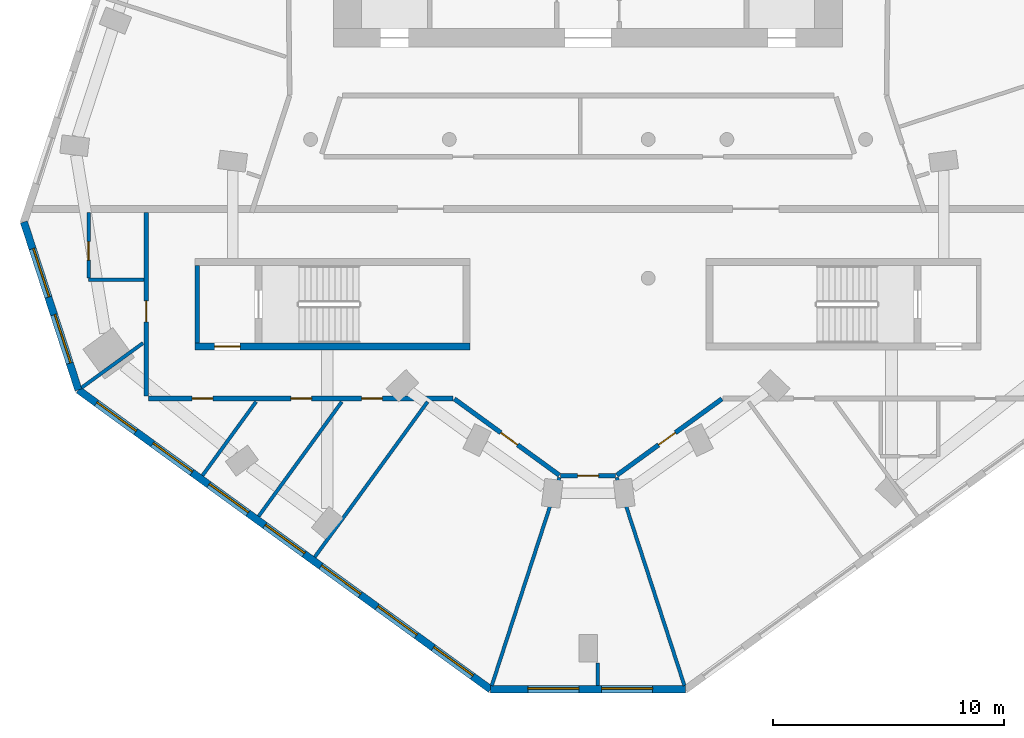
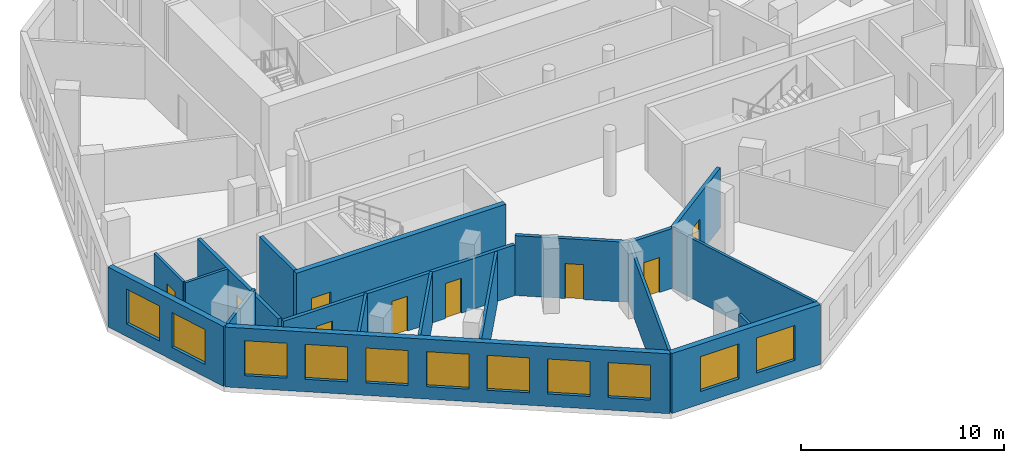
# One storey, part 2 of 9: 19 walls, 11 windows, 9 doors, 20 openings.
"""IFC4 building model written with IfcOpenShell, lengths in metres."""

from ifc_helpers import new_model, si_unit, direction, frame, frame_2d, origin, place, context, subcontext, project, spatial, rectangle, extrude, material, layer, layer_set, type_object, element, fill, save


model = new_model("IFC4")

# Units and contexts
model_context = context("Model", 3, precision=1e-05, world=origin(), true_north=direction((0.0, 1.0)))
body_context = subcontext(model_context, "Body", "Model", "MODEL_VIEW")
ifc_project = project(units=[si_unit("LENGTHUNIT", "METRE"), si_unit("AREAUNIT", "SQUARE_METRE"), si_unit("VOLUMEUNIT", "CUBIC_METRE"), si_unit("PLANEANGLEUNIT", "RADIAN"), si_unit("MASSUNIT", "GRAM", prefix="KILO")], contexts=[model_context])

# Site, building, storey
site_placement = place(None, origin())
site = spatial("IfcSite", under=ifc_project, at=site_placement, CompositionType="ELEMENT")
building_placement = place(site_placement, origin())
building = spatial("IfcBuilding", under=site, at=building_placement, Name="White Candle Pilgrim Tower", CompositionType="ELEMENT")
storey_placement = place(building_placement, frame((0.0, 0.0, 223.800048828125)))
storey = spatial("IfcBuildingStorey", under=building, at=storey_placement, Name="L52", CompositionType="ELEMENT", Elevation=223.800048828125)

# Wall
ifc_material_1 = material(Name="Concrete C50/60", Category="concrete")
ifc_layer_1 = layer(ifc_material_1, 0.199951171875)
ifc_layer_set_1 = layer_set([ifc_layer_1], Name="Core wall 200 mm Concrete C50/60")
wall_type_1 = type_object("IfcWallType", Name="Core wall 200 mm Concrete C50/60", PredefinedType="SHEAR", material=ifc_layer_set_1)
wall_1_placement = place(storey_placement, frame((53.10009765625, 58.199951171875, 0.0), z_axis=(0.0, 0.0, 1.0), x_axis=(0.0, 1.0, 0.0)))
element("IfcWall", 1, at=wall_1_placement, inside=storey, type_object=wall_type_1, Name="WL-L52-C03", PredefinedType="SHEAR", context=body_context, shape_type="SweptSolid", body=[
    extrude(rectangle(XDim=3.35009765625, YDim=0.199951171875, at=frame_2d((1.675048828125, 0.0))), origin(), (0.0, 0.0, 1.0), 3.89990234375),
])

# Wall, opening, door
ifc_material_2 = material(Name="Gypsum board on steel studs", Category="steel")
ifc_layer_2 = layer(ifc_material_2, 0.199951171875)
ifc_layer_set_2 = layer_set([ifc_layer_2], Name="Corridor wall 200 mm EI 45")
wall_type_2 = type_object("IfcWallType", Name="Corridor wall 200 mm EI 45", PredefinedType="PARTITIONING", material=ifc_layer_set_2)
wall_2_placement = place(storey_placement, frame((75.7841796875, 55.781005859375, 0.0), z_axis=(0.0, 0.0, 1.0), x_axis=(-0.809008664729, -0.587796716896, 0.0)))
wall_2 = element("IfcWall", 2, at=wall_2_placement, inside=storey, type_object=wall_type_2, Name="WL-L52-P008", PredefinedType="PARTITIONING", context=body_context, shape_type="SweptSolid", body=[
    extrude(rectangle(XDim=5.6142578125, YDim=0.199951171875, at=frame_2d((2.80712890625, 0.0))), origin(), (0.0, 0.0, 1.0), 3.599853515625),
])
opening_1_placement = place(wall_2_placement, frame((2.482177734375, 0.0, 0.0)))
opening_1 = element("IfcOpeningElement", 3, at=opening_1_placement, cuts=wall_2, Name="Opening T16-108", PredefinedType="OPENING", context=body_context, shape_type="SweptSolid", body=[
    extrude(rectangle(XDim=0.89990234375, YDim=2.10009765625, at=frame_2d((0.449951171875, 1.050048828125))), frame((0.0, 0.10986328125, 0.0), z_axis=(0.0, -1.0, 0.0), x_axis=(1.0, 0.0, 0.0)), (0.0, 0.0, 1.0), 0.219970703125),
])
ifc_material_3 = material(Name="Steel door leaf", Category="steel")
door_type_1 = type_object("IfcDoorType", Name="Fire door 900 x 2100 EI 30", OperationType="NOTDEFINED", PredefinedType="DOOR", material=ifc_material_3)
door_1_placement = place(opening_1_placement, origin())
door_1 = element("IfcDoor", 4, at=door_1_placement, inside=storey, type_object=door_type_1, Name="Door T16-108", OperationType="SINGLE_SWING_RIGHT", OverallHeight=2.10009765625, OverallWidth=0.89990234375, PredefinedType="DOOR", context=body_context, shape_type="SweptSolid", body=[
    extrude(rectangle(XDim=0.89990234375, YDim=2.10009765625, at=frame_2d((0.449951171875, 1.050048828125))), frame((0.0, 0.02490234375, 0.0), z_axis=(0.0, -1.0, 0.0), x_axis=(1.0, 0.0, 0.0)), (0.0, 0.0, 1.0), 0.050048828125),
])
fill(opening_1, door_1)

wall_3_placement = place(storey_placement, frame((71.18359375, 52.4619140625, 0.0), z_axis=(0.0, 0.0, 1.0), x_axis=(-1.0, 0.0, 0.0)))
wall_3 = element("IfcWall", 5, at=wall_3_placement, inside=storey, type_object=wall_type_2, Name="WL-L52-P009", PredefinedType="PARTITIONING", context=body_context, shape_type="SweptSolid", body=[
    extrude(rectangle(XDim=2.3671875, YDim=0.199951171875, at=frame_2d((1.18359375, 0.0))), origin(), (0.0, 0.0, 1.0), 3.599853515625),
])
opening_2_placement = place(wall_3_placement, frame((0.7333984375, 0.0, 0.0)))
opening_2 = element("IfcOpeningElement", 6, at=opening_2_placement, cuts=wall_3, Name="Opening T16-107", PredefinedType="OPENING", context=body_context, shape_type="SweptSolid", body=[
    extrude(rectangle(XDim=0.89990234375, YDim=2.10009765625, at=frame_2d((0.449951171875, 1.050048828125))), frame((0.0, 0.10986328125, 0.0), z_axis=(0.0, -1.0, 0.0), x_axis=(1.0, 0.0, 0.0)), (0.0, 0.0, 1.0), 0.219970703125),
])
door_2_placement = place(opening_2_placement, origin())
door_2 = element("IfcDoor", 7, at=door_2_placement, inside=storey, type_object=door_type_1, Name="Door T16-107", OperationType="SINGLE_SWING_LEFT", OverallHeight=2.10009765625, OverallWidth=0.89990234375, PredefinedType="DOOR", context=body_context, shape_type="SweptSolid", body=[
    extrude(rectangle(XDim=0.89990234375, YDim=2.10009765625, at=frame_2d((0.449951171875, 1.050048828125))), frame((0.0, 0.02490234375, 0.0), z_axis=(0.0, -1.0, 0.0), x_axis=(1.0, 0.0, 0.0)), (0.0, 0.0, 1.0), 0.050048828125),
])
fill(opening_2, door_2)

wall_4_placement = place(storey_placement, frame((68.7578125, 52.48095703125, 0.0), z_axis=(0.0, 0.0, 1.0), x_axis=(-0.809008664729, 0.587796716896, 0.0)))
wall_4 = element("IfcWall", 8, at=wall_4_placement, inside=storey, type_object=wall_type_2, Name="WL-L52-P010", PredefinedType="PARTITIONING", context=body_context, shape_type="SweptSolid", body=[
    extrude(rectangle(XDim=5.6142578125, YDim=0.199951171875, at=frame_2d((2.80712890625, 0.0))), origin(), (0.0, 0.0, 1.0), 3.599853515625),
])
opening_3_placement = place(wall_4_placement, frame((2.23193359375, 0.0, 0.0)))
opening_3 = element("IfcOpeningElement", 9, at=opening_3_placement, cuts=wall_4, Name="Opening T16-106", PredefinedType="OPENING", context=body_context, shape_type="SweptSolid", body=[
    extrude(rectangle(XDim=0.89990234375, YDim=2.10009765625, at=frame_2d((0.449951171875, 1.050048828125))), frame((0.0, 0.10986328125, 0.0), z_axis=(0.0, -1.0, 0.0), x_axis=(1.0, 0.0, 0.0)), (0.0, 0.0, 1.0), 0.219970703125),
])
door_3_placement = place(opening_3_placement, origin())
door_3 = element("IfcDoor", 10, at=door_3_placement, inside=storey, type_object=door_type_1, Name="Door T16-106", OperationType="SINGLE_SWING_RIGHT", OverallHeight=2.10009765625, OverallWidth=0.89990234375, PredefinedType="DOOR", context=body_context, shape_type="SweptSolid", body=[
    extrude(rectangle(XDim=0.89990234375, YDim=2.10009765625, at=frame_2d((0.449951171875, 1.050048828125))), frame((0.0, 0.02490234375, 0.0), z_axis=(0.0, -1.0, 0.0), x_axis=(1.0, 0.0, 0.0)), (0.0, 0.0, 1.0), 0.050048828125),
])
fill(opening_3, door_3)

# Wall, openings, doors
wall_5_placement = place(storey_placement, frame((64.156982421875, 55.800048828125, 0.0), z_axis=(0.0, 0.0, 1.0), x_axis=(-1.0, 0.0, 0.0)))
wall_5 = element("IfcWall", 11, at=wall_5_placement, inside=storey, type_object=wall_type_2, Name="WL-L52-P011", PredefinedType="PARTITIONING", context=body_context, shape_type="SweptSolid", body=[
    extrude(rectangle(XDim=13.156982421875, YDim=0.199951171875, at=frame_2d((6.57861328125, 0.0))), origin(), (0.0, 0.0, 1.0), 3.050048828125),
])
opening_4_placement = place(wall_5_placement, frame((10.384033203125, 0.0, 0.0)))
opening_4 = element("IfcOpeningElement", 12, at=opening_4_placement, cuts=wall_5, Name="Opening T16-103", PredefinedType="OPENING", context=body_context, shape_type="SweptSolid", body=[
    extrude(rectangle(XDim=0.89990234375, YDim=2.10009765625, at=frame_2d((0.449951171875, 1.050048828125))), frame((0.0, 0.10986328125, 0.0), z_axis=(0.0, -1.0, 0.0), x_axis=(1.0, 0.0, 0.0)), (0.0, 0.0, 1.0), 0.219970703125),
])
opening_5_placement = place(wall_5_placement, frame((6.10693359375, 0.0, 0.0)))
opening_5 = element("IfcOpeningElement", 13, at=opening_5_placement, cuts=wall_5, Name="Opening T16-104", PredefinedType="OPENING", context=body_context, shape_type="SweptSolid", body=[
    extrude(rectangle(XDim=0.89990234375, YDim=2.10009765625, at=frame_2d((0.449951171875, 1.050048828125))), frame((0.0, 0.10986328125, 0.0), z_axis=(0.0, -1.0, 0.0), x_axis=(1.0, 0.0, 0.0)), (0.0, 0.0, 1.0), 0.219970703125),
])
opening_6_placement = place(wall_5_placement, frame((3.048828125, 0.0, 0.0)))
opening_6 = element("IfcOpeningElement", 14, at=opening_6_placement, cuts=wall_5, Name="Opening T16-105", PredefinedType="OPENING", context=body_context, shape_type="SweptSolid", body=[
    extrude(rectangle(XDim=0.89990234375, YDim=2.10009765625, at=frame_2d((0.449951171875, 1.050048828125))), frame((0.0, 0.10986328125, 0.0), z_axis=(0.0, -1.0, 0.0), x_axis=(1.0, 0.0, 0.0)), (0.0, 0.0, 1.0), 0.219970703125),
])
door_4_placement = place(opening_4_placement, origin())
door_4 = element("IfcDoor", 15, at=door_4_placement, inside=storey, type_object=door_type_1, Name="Door T16-103", OperationType="SINGLE_SWING_LEFT", OverallHeight=2.10009765625, OverallWidth=0.89990234375, PredefinedType="DOOR", context=body_context, shape_type="SweptSolid", body=[
    extrude(rectangle(XDim=0.89990234375, YDim=2.10009765625, at=frame_2d((0.449951171875, 1.050048828125))), frame((0.0, 0.02490234375, 0.0), z_axis=(0.0, -1.0, 0.0), x_axis=(1.0, 0.0, 0.0)), (0.0, 0.0, 1.0), 0.050048828125),
])
fill(opening_4, door_4)
door_5_placement = place(opening_5_placement, origin())
door_5 = element("IfcDoor", 16, at=door_5_placement, inside=storey, type_object=door_type_1, Name="Door T16-104", OperationType="SINGLE_SWING_RIGHT", OverallHeight=2.10009765625, OverallWidth=0.89990234375, PredefinedType="DOOR", context=body_context, shape_type="SweptSolid", body=[
    extrude(rectangle(XDim=0.89990234375, YDim=2.10009765625, at=frame_2d((0.449951171875, 1.050048828125))), frame((0.0, 0.02490234375, 0.0), z_axis=(0.0, -1.0, 0.0), x_axis=(1.0, 0.0, 0.0)), (0.0, 0.0, 1.0), 0.050048828125),
])
fill(opening_5, door_5)
door_6_placement = place(opening_6_placement, origin())
door_6 = element("IfcDoor", 17, at=door_6_placement, inside=storey, type_object=door_type_1, Name="Door T16-105", OperationType="SINGLE_SWING_LEFT", OverallHeight=2.10009765625, OverallWidth=0.89990234375, PredefinedType="DOOR", context=body_context, shape_type="SweptSolid", body=[
    extrude(rectangle(XDim=0.89990234375, YDim=2.10009765625, at=frame_2d((0.449951171875, 1.050048828125))), frame((0.0, 0.02490234375, 0.0), z_axis=(0.0, -1.0, 0.0), x_axis=(1.0, 0.0, 0.0)), (0.0, 0.0, 1.0), 0.050048828125),
])
fill(opening_6, door_6)

# Wall, opening, door
wall_6_placement = place(storey_placement, frame((50.89990234375, 55.89990234375, 0.0), z_axis=(0.0, 0.0, 1.0), x_axis=(0.0, 1.0, 0.0)))
wall_6 = element("IfcWall", 18, at=wall_6_placement, inside=storey, type_object=wall_type_2, Name="WL-L52-P012", PredefinedType="PARTITIONING", context=body_context, shape_type="SweptSolid", body=[
    extrude(rectangle(XDim=7.9501953125, YDim=0.199951171875, at=frame_2d((3.97509765625, 0.0))), origin(), (0.0, 0.0, 1.0), 3.14990234375),
])
opening_7_placement = place(wall_6_placement, frame((3.216796875, 0.0, 0.0)))
opening_7 = element("IfcOpeningElement", 19, at=opening_7_placement, cuts=wall_6, Name="Opening T16-102", PredefinedType="OPENING", context=body_context, shape_type="SweptSolid", body=[
    extrude(rectangle(XDim=0.89990234375, YDim=2.10009765625, at=frame_2d((0.449951171875, 1.050048828125))), frame((0.0, 0.10986328125, 0.0), z_axis=(0.0, -1.0, 0.0), x_axis=(1.0, 0.0, 0.0)), (0.0, 0.0, 1.0), 0.219970703125),
])
door_7_placement = place(opening_7_placement, origin())
door_7 = element("IfcDoor", 20, at=door_7_placement, inside=storey, type_object=door_type_1, Name="Door T16-102", OperationType="SINGLE_SWING_RIGHT", OverallHeight=2.10009765625, OverallWidth=0.89990234375, PredefinedType="DOOR", context=body_context, shape_type="SweptSolid", body=[
    extrude(rectangle(XDim=0.89990234375, YDim=2.10009765625, at=frame_2d((0.449951171875, 1.050048828125))), frame((0.0, 0.02490234375, 0.0), z_axis=(0.0, -1.0, 0.0), x_axis=(1.0, 0.0, 0.0)), (0.0, 0.0, 1.0), 0.050048828125),
])
fill(opening_7, door_7)

# Wall, openings, windows
ifc_material_4 = material(Name="Precast concrete C40/50", Category="concrete")
ifc_layer_3 = layer(ifc_material_4, 0.320068359375)
ifc_layer_set_3 = layer_set([ifc_layer_3], Name="Facade wall EW1 precast concrete C40/50 pier wall with timber-lined reveals")
wall_type_3 = type_object("IfcWallType", Name="Facade wall EW1 precast concrete C40/50 pier wall with timber-lined reveals", PredefinedType="SOLIDWALL", material=ifc_layer_set_3)
wall_7_placement = place(storey_placement, frame((45.60302734375, 63.431884765625, 0.0), z_axis=(0.0, 0.0, 1.0), x_axis=(0.308997893913, -0.951062722199, 0.0)))
wall_7 = element("IfcWall", 21, at=wall_7_placement, inside=storey, type_object=wall_type_3, Name="Facade wall L52 W chamfer", PredefinedType="SOLIDWALL", context=body_context, shape_type="SweptSolid", body=[
    extrude(rectangle(XDim=7.637939453125, YDim=0.320068359375, at=frame_2d((3.81884765625, 0.0))), origin(), (0.0, 0.0, 1.0), 3.599853515625),
])
opening_8_placement = place(wall_7_placement, frame((1.218994140625, 0.0, 0.75)))
opening_8 = element("IfcOpeningElement", 22, at=opening_8_placement, cuts=wall_7, Name="Opening W4", PredefinedType="OPENING", context=body_context, shape_type="SweptSolid", body=[
    extrude(rectangle(XDim=2.199951171875, YDim=2.10009765625, at=frame_2d((1.10009765625, 1.050048828125))), frame((0.0, 0.169921875, 0.0), z_axis=(0.0, -1.0, 0.0), x_axis=(1.0, 0.0, 0.0)), (0.0, 0.0, 1.0), 0.340087890625),
])
opening_9_placement = place(wall_7_placement, frame((4.218994140625, 0.0, 0.75)))
opening_9 = element("IfcOpeningElement", 23, at=opening_9_placement, cuts=wall_7, Name="Opening W4", PredefinedType="OPENING", context=body_context, shape_type="SweptSolid", body=[
    extrude(rectangle(XDim=2.199951171875, YDim=2.10009765625, at=frame_2d((1.10009765625, 1.050048828125))), frame((0.0, 0.169921875, 0.0), z_axis=(0.0, -1.0, 0.0), x_axis=(1.0, 0.0, 0.0)), (0.0, 0.0, 1.0), 0.340087890625),
])
ifc_material_5 = material(Name="Timber frame with triple glazing", Category="wood")
window_type_1 = type_object("IfcWindowType", Name="Window W4 2200x2100 timber frame triple glazing", PartitioningType="SINGLE_PANEL", PredefinedType="WINDOW", material=ifc_material_5)
window_1_placement = place(opening_8_placement, origin())
window_1 = element("IfcWindow", 24, at=window_1_placement, inside=storey, type_object=window_type_1, Name="Window W4 L52 W chamfer 1", OverallHeight=2.10009765625, OverallWidth=2.199951171875, PartitioningType="SINGLE_PANEL", PredefinedType="WINDOW", context=body_context, shape_type="SweptSolid", body=[
    extrude(rectangle(XDim=2.199951171875, YDim=2.10009765625, at=frame_2d((1.10009765625, 1.050048828125))), frame((0.0, 0.070068359375, 0.0), z_axis=(0.0, -1.0, 0.0), x_axis=(1.0, 0.0, 0.0)), (0.0, 0.0, 1.0), 0.06005859375),
])
fill(opening_8, window_1)
window_2_placement = place(opening_9_placement, origin())
window_2 = element("IfcWindow", 25, at=window_2_placement, inside=storey, type_object=window_type_1, Name="Window W4 L52 W chamfer 2", OverallHeight=2.10009765625, OverallWidth=2.199951171875, PartitioningType="SINGLE_PANEL", PredefinedType="WINDOW", context=body_context, shape_type="SweptSolid", body=[
    extrude(rectangle(XDim=2.199951171875, YDim=2.10009765625, at=frame_2d((1.10009765625, 1.050048828125))), frame((0.0, 0.070068359375, 0.0), z_axis=(0.0, -1.0, 0.0), x_axis=(1.0, 0.0, 0.0)), (0.0, 0.0, 1.0), 0.06005859375),
])
fill(opening_9, window_2)

wall_8_placement = place(storey_placement, frame((47.963134765625, 56.167724609375, 0.0), z_axis=(0.0, 0.0, 1.0), x_axis=(0.809020717907, -0.587780127256, 0.0)))
wall_8 = element("IfcWall", 26, at=wall_8_placement, inside=storey, type_object=wall_type_3, Name="Facade wall L52 SW", PredefinedType="SOLIDWALL", context=body_context, shape_type="SweptSolid", body=[
    extrude(rectangle(XDim=22.02490234375, YDim=0.320068359375, at=frame_2d((11.012451171875, 0.0))), origin(), (0.0, 0.0, 1.0), 3.599853515625),
])
opening_10_placement = place(wall_8_placement, frame((0.96240234375, 0.0, 0.75)))
opening_10 = element("IfcOpeningElement", 27, at=opening_10_placement, cuts=wall_8, Name="Opening W3", PredefinedType="OPENING", context=body_context, shape_type="SweptSolid", body=[
    extrude(rectangle(XDim=2.10009765625, YDim=2.10009765625, at=frame_2d((1.050048828125, 1.050048828125))), frame((0.0, 0.169921875, 0.0), z_axis=(0.0, -1.0, 0.0), x_axis=(1.0, 0.0, 0.0)), (0.0, 0.0, 1.0), 0.340087890625),
])
opening_11_placement = place(wall_8_placement, frame((3.96240234375, 0.0, 0.75)))
opening_11 = element("IfcOpeningElement", 28, at=opening_11_placement, cuts=wall_8, Name="Opening W3", PredefinedType="OPENING", context=body_context, shape_type="SweptSolid", body=[
    extrude(rectangle(XDim=2.10009765625, YDim=2.10009765625, at=frame_2d((1.050048828125, 1.050048828125))), frame((0.0, 0.169921875, 0.0), z_axis=(0.0, -1.0, 0.0), x_axis=(1.0, 0.0, 0.0)), (0.0, 0.0, 1.0), 0.340087890625),
])
opening_12_placement = place(wall_8_placement, frame((6.96240234375, 0.0, 0.75)))
opening_12 = element("IfcOpeningElement", 29, at=opening_12_placement, cuts=wall_8, Name="Opening W3", PredefinedType="OPENING", context=body_context, shape_type="SweptSolid", body=[
    extrude(rectangle(XDim=2.10009765625, YDim=2.10009765625, at=frame_2d((1.050048828125, 1.050048828125))), frame((0.0, 0.169921875, 0.0), z_axis=(0.0, -1.0, 0.0), x_axis=(1.0, 0.0, 0.0)), (0.0, 0.0, 1.0), 0.340087890625),
])
opening_13_placement = place(wall_8_placement, frame((9.96240234375, 0.0, 0.75)))
opening_13 = element("IfcOpeningElement", 30, at=opening_13_placement, cuts=wall_8, Name="Opening W3", PredefinedType="OPENING", context=body_context, shape_type="SweptSolid", body=[
    extrude(rectangle(XDim=2.10009765625, YDim=2.10009765625, at=frame_2d((1.050048828125, 1.050048828125))), frame((0.0, 0.169921875, 0.0), z_axis=(0.0, -1.0, 0.0), x_axis=(1.0, 0.0, 0.0)), (0.0, 0.0, 1.0), 0.340087890625),
])
opening_14_placement = place(wall_8_placement, frame((12.96240234375, 0.0, 0.75)))
opening_14 = element("IfcOpeningElement", 31, at=opening_14_placement, cuts=wall_8, Name="Opening W3", PredefinedType="OPENING", context=body_context, shape_type="SweptSolid", body=[
    extrude(rectangle(XDim=2.10009765625, YDim=2.10009765625, at=frame_2d((1.050048828125, 1.050048828125))), frame((0.0, 0.169921875, 0.0), z_axis=(0.0, -1.0, 0.0), x_axis=(1.0, 0.0, 0.0)), (0.0, 0.0, 1.0), 0.340087890625),
])
opening_15_placement = place(wall_8_placement, frame((15.96240234375, 0.0, 0.75)))
opening_15 = element("IfcOpeningElement", 32, at=opening_15_placement, cuts=wall_8, Name="Opening W3", PredefinedType="OPENING", context=body_context, shape_type="SweptSolid", body=[
    extrude(rectangle(XDim=2.10009765625, YDim=2.10009765625, at=frame_2d((1.050048828125, 1.050048828125))), frame((0.0, 0.169921875, 0.0), z_axis=(0.0, -1.0, 0.0), x_axis=(1.0, 0.0, 0.0)), (0.0, 0.0, 1.0), 0.340087890625),
])
opening_16_placement = place(wall_8_placement, frame((18.96240234375, 0.0, 0.75)))
opening_16 = element("IfcOpeningElement", 33, at=opening_16_placement, cuts=wall_8, Name="Opening W3", PredefinedType="OPENING", context=body_context, shape_type="SweptSolid", body=[
    extrude(rectangle(XDim=2.10009765625, YDim=2.10009765625, at=frame_2d((1.050048828125, 1.050048828125))), frame((0.0, 0.169921875, 0.0), z_axis=(0.0, -1.0, 0.0), x_axis=(1.0, 0.0, 0.0)), (0.0, 0.0, 1.0), 0.340087890625),
])
window_type_2 = type_object("IfcWindowType", Name="Window W3 2100x2100 timber frame triple glazing", PartitioningType="SINGLE_PANEL", PredefinedType="WINDOW", material=ifc_material_5)
window_3_placement = place(opening_10_placement, origin())
window_3 = element("IfcWindow", 34, at=window_3_placement, inside=storey, type_object=window_type_2, Name="Window W3 L52 SW 1", OverallHeight=2.10009765625, OverallWidth=2.10009765625, PartitioningType="SINGLE_PANEL", PredefinedType="WINDOW", context=body_context, shape_type="SweptSolid", body=[
    extrude(rectangle(XDim=2.10009765625, YDim=2.10009765625, at=frame_2d((1.050048828125, 1.050048828125))), frame((0.0, 0.070068359375, 0.0), z_axis=(0.0, -1.0, 0.0), x_axis=(1.0, 0.0, 0.0)), (0.0, 0.0, 1.0), 0.06005859375),
])
fill(opening_10, window_3)
window_4_placement = place(opening_11_placement, origin())
window_4 = element("IfcWindow", 35, at=window_4_placement, inside=storey, type_object=window_type_2, Name="Window W3 L52 SW 2", OverallHeight=2.10009765625, OverallWidth=2.10009765625, PartitioningType="SINGLE_PANEL", PredefinedType="WINDOW", context=body_context, shape_type="SweptSolid", body=[
    extrude(rectangle(XDim=2.10009765625, YDim=2.10009765625, at=frame_2d((1.050048828125, 1.050048828125))), frame((0.0, 0.070068359375, 0.0), z_axis=(0.0, -1.0, 0.0), x_axis=(1.0, 0.0, 0.0)), (0.0, 0.0, 1.0), 0.06005859375),
])
fill(opening_11, window_4)
window_5_placement = place(opening_12_placement, origin())
window_5 = element("IfcWindow", 36, at=window_5_placement, inside=storey, type_object=window_type_2, Name="Window W3 L52 SW 3", OverallHeight=2.10009765625, OverallWidth=2.10009765625, PartitioningType="SINGLE_PANEL", PredefinedType="WINDOW", context=body_context, shape_type="SweptSolid", body=[
    extrude(rectangle(XDim=2.10009765625, YDim=2.10009765625, at=frame_2d((1.050048828125, 1.050048828125))), frame((0.0, 0.070068359375, 0.0), z_axis=(0.0, -1.0, 0.0), x_axis=(1.0, 0.0, 0.0)), (0.0, 0.0, 1.0), 0.06005859375),
])
fill(opening_12, window_5)
window_6_placement = place(opening_13_placement, origin())
window_6 = element("IfcWindow", 37, at=window_6_placement, inside=storey, type_object=window_type_2, Name="Window W3 L52 SW 4", OverallHeight=2.10009765625, OverallWidth=2.10009765625, PartitioningType="SINGLE_PANEL", PredefinedType="WINDOW", context=body_context, shape_type="SweptSolid", body=[
    extrude(rectangle(XDim=2.10009765625, YDim=2.10009765625, at=frame_2d((1.050048828125, 1.050048828125))), frame((0.0, 0.070068359375, 0.0), z_axis=(0.0, -1.0, 0.0), x_axis=(1.0, 0.0, 0.0)), (0.0, 0.0, 1.0), 0.06005859375),
])
fill(opening_13, window_6)
window_7_placement = place(opening_14_placement, origin())
window_7 = element("IfcWindow", 38, at=window_7_placement, inside=storey, type_object=window_type_2, Name="Window W3 L52 SW 5", OverallHeight=2.10009765625, OverallWidth=2.10009765625, PartitioningType="SINGLE_PANEL", PredefinedType="WINDOW", context=body_context, shape_type="SweptSolid", body=[
    extrude(rectangle(XDim=2.10009765625, YDim=2.10009765625, at=frame_2d((1.050048828125, 1.050048828125))), frame((0.0, 0.070068359375, 0.0), z_axis=(0.0, -1.0, 0.0), x_axis=(1.0, 0.0, 0.0)), (0.0, 0.0, 1.0), 0.06005859375),
])
fill(opening_14, window_7)
window_8_placement = place(opening_15_placement, origin())
window_8 = element("IfcWindow", 39, at=window_8_placement, inside=storey, type_object=window_type_2, Name="Window W3 L52 SW 6", OverallHeight=2.10009765625, OverallWidth=2.10009765625, PartitioningType="SINGLE_PANEL", PredefinedType="WINDOW", context=body_context, shape_type="SweptSolid", body=[
    extrude(rectangle(XDim=2.10009765625, YDim=2.10009765625, at=frame_2d((1.050048828125, 1.050048828125))), frame((0.0, 0.070068359375, 0.0), z_axis=(0.0, -1.0, 0.0), x_axis=(1.0, 0.0, 0.0)), (0.0, 0.0, 1.0), 0.06005859375),
])
fill(opening_15, window_8)
window_9_placement = place(opening_16_placement, origin())
window_9 = element("IfcWindow", 40, at=window_9_placement, inside=storey, type_object=window_type_2, Name="Window W3 L52 SW 7", OverallHeight=2.10009765625, OverallWidth=2.10009765625, PartitioningType="SINGLE_PANEL", PredefinedType="WINDOW", context=body_context, shape_type="SweptSolid", body=[
    extrude(rectangle(XDim=2.10009765625, YDim=2.10009765625, at=frame_2d((1.050048828125, 1.050048828125))), frame((0.0, 0.070068359375, 0.0), z_axis=(0.0, -1.0, 0.0), x_axis=(1.0, 0.0, 0.0)), (0.0, 0.0, 1.0), 0.06005859375),
])
fill(opening_16, window_9)

wall_9_placement = place(storey_placement, frame((65.78173828125, 43.221923828125, 0.0), z_axis=(0.0, 0.0, 1.0), x_axis=(1.0, 0.0, 0.0)))
wall_9 = element("IfcWall", 41, at=wall_9_placement, inside=storey, type_object=wall_type_3, Name="Facade wall L52 S chamfer", PredefinedType="SOLIDWALL", context=body_context, shape_type="SweptSolid", body=[
    extrude(rectangle(XDim=8.4365234375, YDim=0.320068359375, at=frame_2d((4.21826171875, 0.0))), origin(), (0.0, 0.0, 1.0), 3.599853515625),
])
opening_17_placement = place(wall_9_placement, frame((1.618408203125, 0.0, 0.75)))
opening_17 = element("IfcOpeningElement", 42, at=opening_17_placement, cuts=wall_9, Name="Opening W4", PredefinedType="OPENING", context=body_context, shape_type="SweptSolid", body=[
    extrude(rectangle(XDim=2.199951171875, YDim=2.10009765625, at=frame_2d((1.10009765625, 1.050048828125))), frame((0.0, 0.169921875, 0.0), z_axis=(0.0, -1.0, 0.0), x_axis=(1.0, 0.0, 0.0)), (0.0, 0.0, 1.0), 0.340087890625),
])
opening_18_placement = place(wall_9_placement, frame((4.80322265625, 0.0, 0.75)))
opening_18 = element("IfcOpeningElement", 43, at=opening_18_placement, cuts=wall_9, Name="Opening W4", PredefinedType="OPENING", context=body_context, shape_type="SweptSolid", body=[
    extrude(rectangle(XDim=2.199951171875, YDim=2.10009765625, at=frame_2d((1.10009765625, 1.050048828125))), frame((0.0, 0.169921875, 0.0), z_axis=(0.0, -1.0, 0.0), x_axis=(1.0, 0.0, 0.0)), (0.0, 0.0, 1.0), 0.340087890625),
])
window_10_placement = place(opening_17_placement, origin())
window_10 = element("IfcWindow", 44, at=window_10_placement, inside=storey, type_object=window_type_1, Name="Window W4 L52 S chamfer 1", OverallHeight=2.10009765625, OverallWidth=2.199951171875, PartitioningType="SINGLE_PANEL", PredefinedType="WINDOW", context=body_context, shape_type="SweptSolid", body=[
    extrude(rectangle(XDim=2.199951171875, YDim=2.10009765625, at=frame_2d((1.10009765625, 1.050048828125))), frame((0.0, 0.070068359375, 0.0), z_axis=(0.0, -1.0, 0.0), x_axis=(1.0, 0.0, 0.0)), (0.0, 0.0, 1.0), 0.06005859375),
])
fill(opening_17, window_10)
window_11_placement = place(opening_18_placement, origin())
window_11 = element("IfcWindow", 45, at=window_11_placement, inside=storey, type_object=window_type_1, Name="Window W4 L52 S chamfer 2", OverallHeight=2.10009765625, OverallWidth=2.199951171875, PartitioningType="SINGLE_PANEL", PredefinedType="WINDOW", context=body_context, shape_type="SweptSolid", body=[
    extrude(rectangle(XDim=2.199951171875, YDim=2.10009765625, at=frame_2d((1.10009765625, 1.050048828125))), frame((0.0, 0.070068359375, 0.0), z_axis=(0.0, -1.0, 0.0), x_axis=(1.0, 0.0, 0.0)), (0.0, 0.0, 1.0), 0.06005859375),
])
fill(opening_18, window_11)

# Walls
ifc_layer_4 = layer(ifc_material_2, 0.14990234375)
ifc_layer_set_4 = layer_set([ifc_layer_4], Name="Partition 150 mm EI 60")
wall_type_4 = type_object("IfcWallType", Name="Partition 150 mm EI 60", PredefinedType="PARTITIONING", material=ifc_layer_set_4)
wall_10_placement = place(storey_placement, frame((48.099365234375, 56.2666015625, 0.0), z_axis=(0.0, 0.0, 1.0), x_axis=(0.808999643258, 0.587809133315, 0.0)))
element("IfcWall", 46, at=wall_10_placement, inside=storey, type_object=wall_type_4, Name="WL-L52-P018", PredefinedType="PARTITIONING", context=body_context, shape_type="SweptSolid", body=[
    extrude(rectangle(XDim=3.28369140625, YDim=0.14990234375, at=frame_2d((1.641845703125, 0.0))), origin(), (0.0, 0.0, 1.0), 3.599853515625),
])
for number, where, z_axis, x_axis, name in (
    (47, (65.833740234375, 43.3818359375, 0.0), (0.0, 0.0, 1.0), (0.309020146715, 0.951055492032, 0.0), "WL-L52-P019"),
    (48, (74.166259765625, 43.3818359375, 0.0), (0.0, 0.0, 1.0), (-0.309020146715, 0.951055492032, 0.0), "WL-L52-P020"),
):
    element("IfcWall", number, at=place(storey_placement, frame(where, z_axis=z_axis, x_axis=x_axis)), inside=storey, type_object=wall_type_4, Name=name, PredefinedType="PARTITIONING", context=body_context, shape_type="SweptSolid", body=[
        extrude(rectangle(XDim=9.46240234375, YDim=0.14990234375, at=frame_2d((4.731201171875, 0.0))), origin(), (0.0, 0.0, 1.0), 3.599853515625),
    ])
wall_11_placement = place(storey_placement, frame((50.800048828125, 60.931884765625, 0.0), z_axis=(0.0, 0.0, 1.0), x_axis=(-1.0, 0.0, 0.0)))
element("IfcWall", 49, at=wall_11_placement, inside=storey, type_object=wall_type_4, Name="WL-L52-P024", PredefinedType="PARTITIONING", context=body_context, shape_type="SweptSolid", body=[
    extrude(rectangle(XDim=2.400146484375, YDim=0.14990234375, at=frame_2d((1.2001953125, 0.0))), origin(), (0.0, 0.0, 1.0), 3.14990234375),
])

# Wall, opening, door
wall_12_placement = place(storey_placement, frame((48.39990234375, 63.85009765625, 0.0), z_axis=(0.0, 0.0, 1.0), x_axis=(0.0, -1.0, 0.0)))
wall_12 = element("IfcWall", 50, at=wall_12_placement, inside=storey, type_object=wall_type_4, Name="WL-L52-P025", PredefinedType="PARTITIONING", context=body_context, shape_type="SweptSolid", body=[
    extrude(rectangle(XDim=2.84326171875, YDim=0.14990234375, at=frame_2d((1.421630859375, 0.0))), origin(), (0.0, 0.0, 1.0), 3.14990234375),
])
opening_19_placement = place(wall_12_placement, frame((1.268310546875, 0.0, 0.0)))
opening_19 = element("IfcOpeningElement", 51, at=opening_19_placement, cuts=wall_12, Name="Opening T16-101", PredefinedType="OPENING", context=body_context, shape_type="SweptSolid", body=[
    extrude(rectangle(XDim=0.800048828125, YDim=2.10009765625, at=frame_2d((0.39990234375, 1.050048828125))), frame((0.0, 0.0849609375, 0.0), z_axis=(0.0, -1.0, 0.0), x_axis=(1.0, 0.0, 0.0)), (0.0, 0.0, 1.0), 0.169921875),
])
door_type_2 = type_object("IfcDoorType", Name="Fire door 800 x 2100 EI 30", OperationType="NOTDEFINED", PredefinedType="DOOR", material=ifc_material_3)
door_8_placement = place(opening_19_placement, frame((0.800048828125, 0.0, 0.0), z_axis=(0.0, 0.0, 1.0), x_axis=(-1.0, 0.0, 0.0)))
door_8 = element("IfcDoor", 52, at=door_8_placement, inside=storey, type_object=door_type_2, Name="Door T16-101", OperationType="SINGLE_SWING_RIGHT", OverallHeight=2.10009765625, OverallWidth=0.800048828125, PredefinedType="DOOR", context=body_context, shape_type="SweptSolid", body=[
    extrude(rectangle(XDim=0.800048828125, YDim=2.10009765625, at=frame_2d((0.39990234375, 1.050048828125))), frame((0.0, 0.02490234375, 0.0), z_axis=(0.0, -1.0, 0.0), x_axis=(1.0, 0.0, 0.0)), (0.0, 0.0, 1.0), 0.050048828125),
])
fill(opening_19, door_8)

# Walls
wall_13_placement = place(storey_placement, frame((53.325927734375, 52.46923828125, 0.0), z_axis=(0.0, 0.0, 1.0), x_axis=(0.587762550111, 0.809033487989, 0.0)))
element("IfcWall", 53, at=wall_13_placement, inside=storey, type_object=wall_type_4, Name="WL-L52-P026", PredefinedType="PARTITIONING", context=body_context, shape_type="SweptSolid", body=[
    extrude(rectangle(XDim=3.93896484375, YDim=0.14990234375, at=frame_2d((1.969482421875, 0.0))), origin(), (0.0, 0.0, 1.0), 3.14990234375),
])
wall_14_placement = place(storey_placement, frame((55.7529296875, 50.705810546875, 0.0), z_axis=(0.0, 0.0, 1.0), x_axis=(0.58777542513, 0.809024134135, 0.0)))
element("IfcWall", 54, at=wall_14_placement, inside=storey, type_object=wall_type_4, Name="WL-L52-P027", PredefinedType="PARTITIONING", context=body_context, shape_type="SweptSolid", body=[
    extrude(rectangle(XDim=6.11865234375, YDim=0.14990234375, at=frame_2d((3.059326171875, 0.0))), origin(), (0.0, 0.0, 1.0), 3.14990234375),
])
wall_15_placement = place(storey_placement, frame((58.179931640625, 48.942626953125, 0.0), z_axis=(0.0, 0.0, 1.0), x_axis=(0.587795526612, 0.809009529545, 0.0)))
element("IfcWall", 55, at=wall_15_placement, inside=storey, type_object=wall_type_4, Name="WL-L52-P028", PredefinedType="PARTITIONING", context=body_context, shape_type="SweptSolid", body=[
    extrude(rectangle(XDim=8.29833984375, YDim=0.14990234375, at=frame_2d((4.149169921875, 0.0))), origin(), (0.0, 0.0, 1.0), 3.050048828125),
])
wall_16_placement = place(storey_placement, frame((70.409912109375, 44.3701171875, 0.0), z_axis=(0.0, 0.0, 1.0), x_axis=(0.0, -1.0, 0.0)))
element("IfcWall", 56, at=wall_16_placement, inside=storey, type_object=wall_type_4, Name="WL-L52-P039", PredefinedType="PARTITIONING", context=body_context, shape_type="SweptSolid", body=[
    extrude(rectangle(XDim=0.98828125, YDim=0.14990234375, at=frame_2d((0.494140625, 0.0))), origin(), (0.0, 0.0, 1.0), 3.599853515625),
])

# Wall, opening, door
ifc_layer_5 = layer(ifc_material_1, 0.300048828125)
ifc_layer_set_5 = layer_set([ifc_layer_5], Name="Stair shaft wall 300 mm Concrete C50/60")
wall_type_5 = type_object("IfcWallType", Name="Stair shaft wall 300 mm Concrete C50/60", PredefinedType="SHEAR", material=ifc_layer_set_5)
wall_17_placement = place(storey_placement, frame((53.0, 58.050048828125, 0.0), z_axis=(0.0, 0.0, 1.0), x_axis=(1.0, 0.0, 0.0)))
wall_17 = element("IfcWall", 57, at=wall_17_placement, inside=storey, type_object=wall_type_5, Name="WL-L52-C01", PredefinedType="SHEAR", context=body_context, shape_type="SweptSolid", body=[
    extrude(rectangle(XDim=11.89990234375, YDim=0.300048828125, at=frame_2d((5.949951171875, 0.0))), origin(), (0.0, 0.0, 1.0), 3.89990234375),
])
opening_20_placement = place(wall_17_placement, frame((0.85009765625, 0.0, 0.0)))
opening_20 = element("IfcOpeningElement", 58, at=opening_20_placement, cuts=wall_17, Name="Opening T16-010", PredefinedType="OPENING", context=body_context, shape_type="SweptSolid", body=[
    extrude(rectangle(XDim=1.10009765625, YDim=2.10009765625, at=frame_2d((0.550048828125, 1.050048828125))), frame((0.0, 0.159912109375, 0.0), z_axis=(0.0, -1.0, 0.0), x_axis=(1.0, 0.0, 0.0)), (0.0, 0.0, 1.0), 0.320068359375),
])
door_type_3 = type_object("IfcDoorType", Name="Fire door 1100 x 2100 EI 60", OperationType="NOTDEFINED", PredefinedType="DOOR", material=ifc_material_3)
door_9_placement = place(opening_20_placement, origin())
door_9 = element("IfcDoor", 59, at=door_9_placement, inside=storey, type_object=door_type_3, Name="Door T16-010", OperationType="SINGLE_SWING_RIGHT", OverallHeight=2.10009765625, OverallWidth=1.10009765625, PredefinedType="DOOR", context=body_context, shape_type="SweptSolid", body=[
    extrude(rectangle(XDim=1.10009765625, YDim=2.10009765625, at=frame_2d((0.550048828125, 1.050048828125))), frame((0.0, 0.02490234375, 0.0), z_axis=(0.0, -1.0, 0.0), x_axis=(1.0, 0.0, 0.0)), (0.0, 0.0, 1.0), 0.050048828125),
])
fill(opening_20, door_9)

save(model, "model.ifc")
